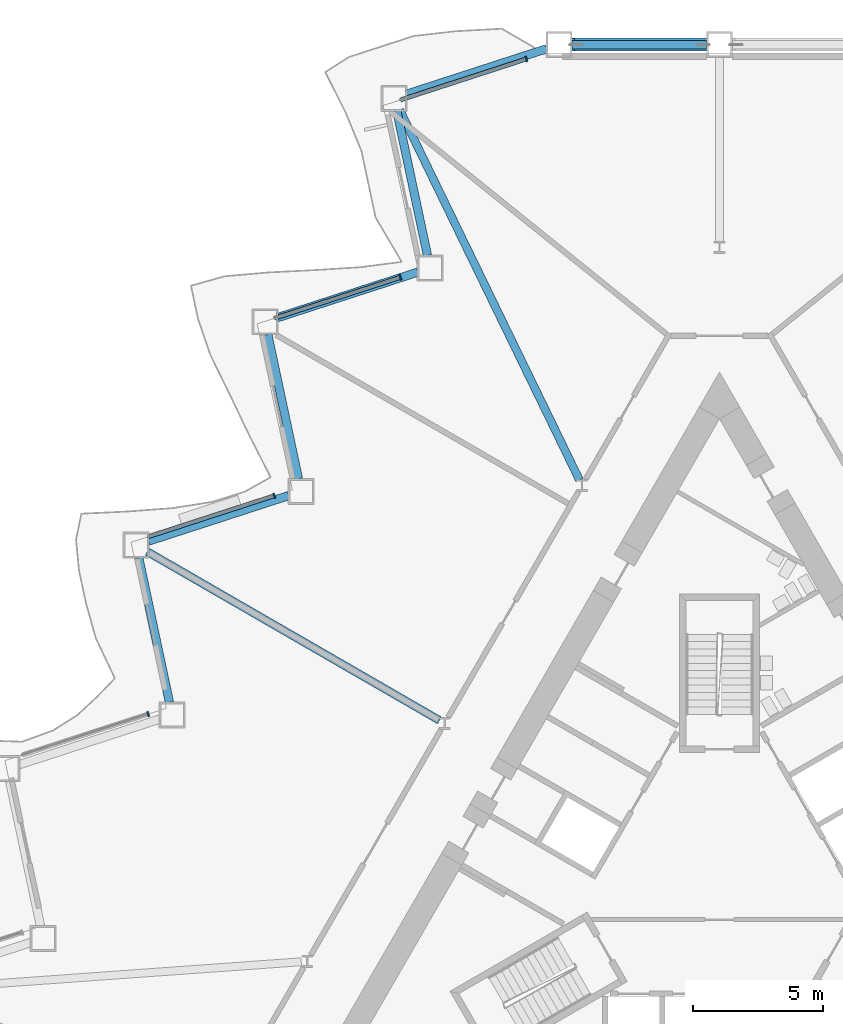
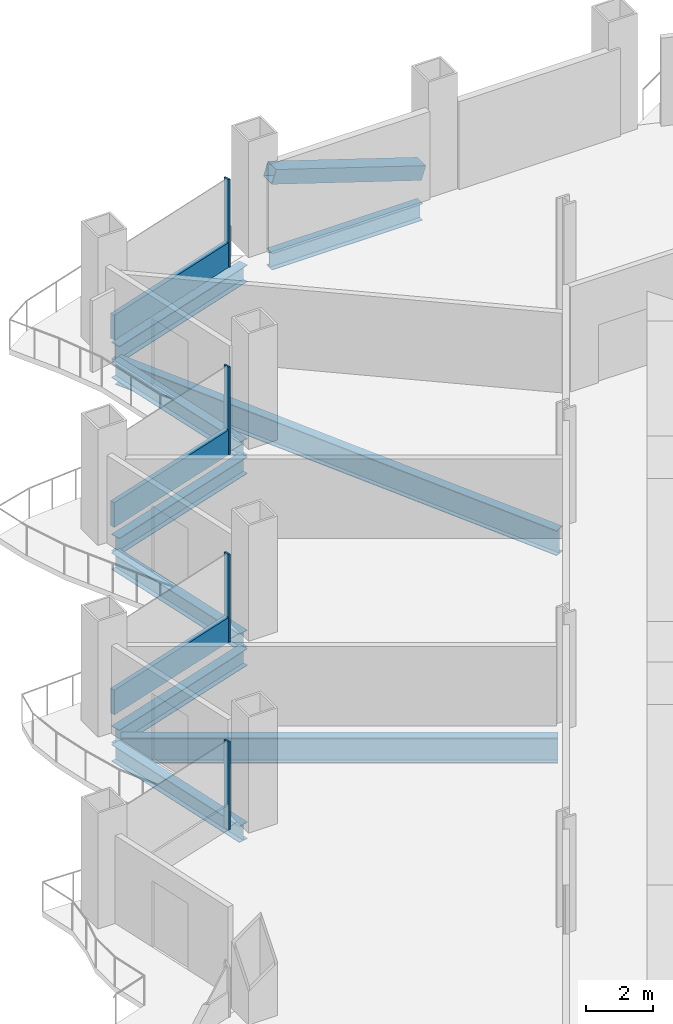
# One storey, part 6 of 21: 9 beams, 8 members, 4 elements without a shape of their own.
"""IFC4 building model written with IfcOpenShell, lengths in metres."""

from ifc_helpers import new_model, si_unit, direction, frame, origin, origin_2d, place, context, subcontext, project, spatial, rectangle, hollow_rectangle, i_section, extrude, material, layer, layer_set, material_profile, profile_set, type_object, element, aggregate, save


model = new_model("IFC4")

# Units and contexts
model_context = context("Model", 3, precision=1e-05, world=origin(), true_north=direction((0.0, 1.0)))
body_context = subcontext(model_context, "Body", "Model", "MODEL_VIEW")
ifc_project = project(units=[si_unit("LENGTHUNIT", "METRE"), si_unit("AREAUNIT", "SQUARE_METRE"), si_unit("VOLUMEUNIT", "CUBIC_METRE"), si_unit("PLANEANGLEUNIT", "RADIAN"), si_unit("MASSUNIT", "GRAM", prefix="KILO")], contexts=[model_context])

# Site, building, storey
site_placement = place(None, origin())
site = spatial("IfcSite", under=ifc_project, at=site_placement, CompositionType="ELEMENT")
building_placement = place(site_placement, origin())
building = spatial("IfcBuilding", under=site, at=building_placement, Name="Cormorant Prow Tower", CompositionType="ELEMENT")
storey_placement = place(building_placement, frame((0.0, 0.0, 51.0)))
storey = spatial("IfcBuildingStorey", under=building, at=storey_placement, Name="L10", CompositionType="ELEMENT", Elevation=51.0)

# Member
ifc_material_1 = material(Name="Structural steel ASTM A500 Gr C", Category="steel")
ifc_material_profile_1 = material_profile(ifc_material_1, hollow_rectangle(XDim=0.508056640625, YDim=0.508056640625, WallThickness=0.014892578125, at=origin_2d()), Name="HSS20x20x5/8")
ifc_profile_set_1 = profile_set([ifc_material_profile_1], Name="Structural steel ASTM A500 Gr C")
member_type_1 = type_object("IfcMemberType", Name="Chamfer brace HSS20x20x5/8", PredefinedType="BRACE", material=ifc_profile_set_1)
member_1_placement = place(storey_placement, frame((-0.518798828125, 32.233642578125, 0.767333984375), z_axis=(-0.951774314198, 0.0, 0.306799046335), x_axis=(0.0, -1.0, 0.0)))
element("IfcMember", 1, at=member_1_placement, inside=storey, type_object=member_type_1, Name="Chamfer brace BR1 at N01 L10", PredefinedType="BRACE", context=body_context, shape_type="SweptSolid", body=[
    extrude(hollow_rectangle(XDim=0.508056640625, YDim=0.508056640625, WallThickness=0.014892578125, at=origin_2d()), origin(), (0.0, 0.0, 1.0), 5.39208984375),
])

# Curtain wall, member
ifc_material_2 = material(Name="Aluminium 6063-T6", Category="aluminium")
ifc_layer = layer(ifc_material_2, 0.199951171875)
ifc_layer_set = layer_set([ifc_layer], Name="Aluminium 6063-T6")
curtain_wall_type = type_object("IfcCurtainWallType", Name="Office unitised curtain wall 200", PredefinedType="NOTDEFINED", material=ifc_layer_set)
curtain_wall_1_placement = place(storey_placement, origin())
curtain_wall_1 = element("IfcCurtainWall", 2, at=curtain_wall_1_placement, inside=storey, type_object=curtain_wall_type, Name="Office curtain wall WNW00", PredefinedType="NOTDEFINED")
ifc_material_3 = material(Name="Aluminium 6063-T6", Category="aluminium")
ifc_material_profile_2 = material_profile(ifc_material_3, rectangle(XDim=0.199951171875, YDim=0.06005859375, at=origin_2d()), Name="Office mullion 60x200")
ifc_profile_set_2 = profile_set([ifc_material_profile_2], Name="Aluminium 6063-T6")
member_type_2 = type_object("IfcMemberType", Name="Office mullion 60x200", PredefinedType="MULLION", material=ifc_profile_set_2)
member_2_placement = place(storey_placement, frame((-7.433837890625, 31.6796875, 0.0), z_axis=(0.0, 0.0, 1.0), x_axis=(0.309016937009, -0.951056534935, 0.0)))
member_2 = element("IfcMember", 3, at=member_2_placement, type_object=member_type_2, Name="Office mullion WNW00", PredefinedType="MULLION", context=body_context, shape_type="SweptSolid", body=[
    extrude(rectangle(XDim=0.199951171875, YDim=0.06005859375, at=origin_2d()), origin(), (0.0, 0.0, 1.0), 3.18896484375),
])

curtain_wall_2_placement = place(storey_placement, origin())
curtain_wall_2 = element("IfcCurtainWall", 4, at=curtain_wall_2_placement, inside=storey, type_object=curtain_wall_type, Name="Office curtain wall WNW02", PredefinedType="NOTDEFINED")
member_3_placement = place(storey_placement, frame((-12.286376953125, 23.274658203125, 0.0), z_axis=(0.0, 0.0, 1.0), x_axis=(0.309016937009, -0.951056534935, 0.0)))
member_3 = element("IfcMember", 5, at=member_3_placement, type_object=member_type_2, Name="Office mullion WNW02", PredefinedType="MULLION", context=body_context, shape_type="SweptSolid", body=[
    extrude(rectangle(XDim=0.199951171875, YDim=0.06005859375, at=origin_2d()), origin(), (0.0, 0.0, 1.0), 3.18896484375),
])

curtain_wall_3_placement = place(storey_placement, origin())
curtain_wall_3 = element("IfcCurtainWall", 6, at=curtain_wall_3_placement, inside=storey, type_object=curtain_wall_type, Name="Office curtain wall WNW04", PredefinedType="NOTDEFINED")
member_4_placement = place(storey_placement, frame((-17.13916015625, 14.86962890625, 0.0), z_axis=(0.0, 0.0, 1.0), x_axis=(0.309016892008, -0.951056549556, 0.0)))
member_4 = element("IfcMember", 7, at=member_4_placement, type_object=member_type_2, Name="Office mullion WNW04", PredefinedType="MULLION", context=body_context, shape_type="SweptSolid", body=[
    extrude(rectangle(XDim=0.199951171875, YDim=0.06005859375, at=origin_2d()), origin(), (0.0, 0.0, 1.0), 3.18896484375),
])

curtain_wall_4_placement = place(storey_placement, origin())
curtain_wall_4 = element("IfcCurtainWall", 8, at=curtain_wall_4_placement, inside=storey, type_object=curtain_wall_type, Name="Office curtain wall WNW06", PredefinedType="NOTDEFINED")
member_5_placement = place(storey_placement, frame((-21.99169921875, 6.464599609375, 0.0), z_axis=(0.0, 0.0, 1.0), x_axis=(0.309016937009, -0.951056534935, 0.0)))
member_5 = element("IfcMember", 9, at=member_5_placement, type_object=member_type_2, Name="Office mullion WNW06", PredefinedType="MULLION", context=body_context, shape_type="SweptSolid", body=[
    extrude(rectangle(XDim=0.199951171875, YDim=0.06005859375, at=origin_2d()), origin(), (0.0, 0.0, 1.0), 3.18896484375),
])
aggregate(curtain_wall_4, [member_5])

# Member
ifc_material_4 = material(Name="Terracotta", Category="masonry")
ifc_material_profile_3 = material_profile(ifc_material_4, rectangle(XDim=0.159912109375, YDim=0.89990234375, at=origin_2d()), Name="Office terracotta spandrel rail 160x900")
ifc_profile_set_3 = profile_set([ifc_material_profile_3], Name="Terracotta")
member_type_3 = type_object("IfcMemberType", Name="Office terracotta spandrel rail 160x900", PredefinedType="USERDEFINED", material=ifc_profile_set_3)
member_6_placement = place(storey_placement, frame((-7.46240234375, 31.67041015625, 0.449951171875), z_axis=(-0.951061701222, -0.309001036355, 0.0), x_axis=(0.309001036355, -0.951061701222, 0.0)))
member_6 = element("IfcMember", 10, at=member_6_placement, type_object=member_type_3, Name="Office spandrel rail WNW00", ObjectType="TRANSOM", PredefinedType="USERDEFINED", context=body_context, shape_type="SweptSolid", body=[
    extrude(rectangle(XDim=0.159912109375, YDim=0.89990234375, at=origin_2d()), origin(), (0.0, 0.0, 1.0), 5.063720703125),
])

aggregate(curtain_wall_1, [member_2, member_6])

member_7_placement = place(storey_placement, frame((-12.31494140625, 23.265380859375, 0.449951171875), z_axis=(-0.95106630442, -0.308986868, 0.0), x_axis=(0.308986868, -0.95106630442, 0.0)))
member_7 = element("IfcMember", 11, at=member_7_placement, type_object=member_type_3, Name="Office spandrel rail WNW02", ObjectType="TRANSOM", PredefinedType="USERDEFINED", context=body_context, shape_type="SweptSolid", body=[
    extrude(rectangle(XDim=0.159912109375, YDim=0.89990234375, at=origin_2d()), origin(), (0.0, 0.0, 1.0), 5.06396484375),
])

aggregate(curtain_wall_2, [member_3, member_7])

member_8_placement = place(storey_placement, frame((-17.167724609375, 14.8603515625, 0.449951171875), z_axis=(-0.951061701222, -0.309001036355, 0.0), x_axis=(0.309001036355, -0.951061701222, 0.0)))
member_8 = element("IfcMember", 12, at=member_8_placement, type_object=member_type_3, Name="Office spandrel rail WNW04", ObjectType="TRANSOM", PredefinedType="USERDEFINED", context=body_context, shape_type="SweptSolid", body=[
    extrude(rectangle(XDim=0.159912109375, YDim=0.89990234375, at=origin_2d()), origin(), (0.0, 0.0, 1.0), 5.063720703125),
])

aggregate(curtain_wall_3, [member_4, member_8])

# Beams
ifc_material_5 = material(Name="Structural steel ASTM A992 Gr 50", Category="steel")
ifc_material_profile_4 = material_profile(ifc_material_5, i_section(OverallWidth=0.3046875, OverallDepth=0.914794921875, WebThickness=0.0166015625, FlangeThickness=0.02587890625, at=origin_2d()), Name="W36x160")
ifc_profile_set_4 = profile_set([ifc_material_profile_4], Name="Structural steel ASTM A992 Gr 50")
beam_type_1 = type_object("IfcBeamType", Name="Radial floor beam W36x160", PredefinedType="BEAM", material=ifc_profile_set_4)
beam_1_placement = place(storey_placement, frame((-5.390625, 15.4775390625, -0.857421875), z_axis=(-0.436839436813, 0.899539496879, 0.0), x_axis=(-0.899539496879, -0.436839436813, 0.0)))
element("IfcBeam", 13, at=beam_1_placement, inside=storey, type_object=beam_type_1, Name="Radial floor beam FB1 2 L10", PredefinedType="BEAM", context=body_context, shape_type="SweptSolid", body=[
    extrude(i_section(OverallWidth=0.3046875, OverallDepth=0.914794921875, WebThickness=0.0166015625, FlangeThickness=0.02587890625, at=origin_2d()), origin(), (0.0, 0.0, 1.0), 15.83203125),
])
beam_2_placement = place(storey_placement, frame((-10.779541015625, 6.2236328125, -0.857421875), z_axis=(-0.866030278318, 0.499991556966, 0.0), x_axis=(-0.499991556966, -0.866030278318, 0.0)))
element("IfcBeam", 14, at=beam_2_placement, inside=storey, type_object=beam_type_1, Name="Radial floor beam FB1 3 L10", PredefinedType="BEAM", context=body_context, shape_type="SweptSolid", body=[
    extrude(i_section(OverallWidth=0.3046875, OverallDepth=0.914794921875, WebThickness=0.0166015625, FlangeThickness=0.02587890625, at=origin_2d()), origin(), (0.0, 0.0, 1.0), 12.984130859375),
])
ifc_material_6 = material(Name="Structural steel ASTM A992 Gr 50", Category="steel")
ifc_material_profile_5 = material_profile(ifc_material_6, i_section(OverallWidth=0.32373046875, OverallDepth=0.611083984375, WebThickness=0.0126953125, FlangeThickness=0.01904296875, at=origin_2d()), Name="W24x104")
ifc_profile_set_5 = profile_set([ifc_material_profile_5], Name="Structural steel ASTM A992 Gr 50")
beam_type_2 = type_object("IfcBeamType", Name="Spandrel beam W24x104", PredefinedType="SPANDREL", material=ifc_profile_set_5)
beam_3_placement = place(storey_placement, frame((-0.5, 32.233642578125, -0.70556640625), z_axis=(-1.0, 0.0, 0.0), x_axis=(0.0, -1.0, 0.0)))
element("IfcBeam", 15, at=beam_3_placement, inside=storey, type_object=beam_type_2, Name="Spandrel beam SB1 N01-WNW00 L10", PredefinedType="SPANDREL", context=body_context, shape_type="SweptSolid", body=[
    extrude(i_section(OverallWidth=0.32373046875, OverallDepth=0.611083984375, WebThickness=0.0126953125, FlangeThickness=0.01904296875, at=origin_2d()), origin(), (0.0, 0.0, 1.0), 5.169677734375),
])
beam_4_placement = place(storey_placement, frame((-6.645263671875, 32.0791015625, -0.70556640625), z_axis=(-0.951061849722, -0.309000579292, 0.0), x_axis=(0.309000579292, -0.951061849722, 0.0)))
element("IfcBeam", 16, at=beam_4_placement, inside=storey, type_object=beam_type_2, Name="Spandrel beam SB1 WNW00-WNW01 L10", PredefinedType="SPANDREL", context=body_context, shape_type="SweptSolid", body=[
    extrude(i_section(OverallWidth=0.32373046875, OverallDepth=0.611083984375, WebThickness=0.0126953125, FlangeThickness=0.01904296875, at=origin_2d()), origin(), (0.0, 0.0, 1.0), 5.682373046875),
])
beam_5_placement = place(storey_placement, frame((-12.421142578125, 29.6796875, -0.70556640625), z_axis=(0.207900376723, -0.97815000555, 0.0), x_axis=(0.97815000555, 0.207900376723, 0.0)))
element("IfcBeam", 17, at=beam_5_placement, inside=storey, type_object=beam_type_2, Name="Spandrel beam SB1 WNW01-WNW02 L10", PredefinedType="SPANDREL", context=body_context, shape_type="SweptSolid", body=[
    extrude(i_section(OverallWidth=0.32373046875, OverallDepth=0.611083984375, WebThickness=0.0126953125, FlangeThickness=0.01904296875, at=origin_2d()), origin(), (0.0, 0.0, 1.0), 5.6826171875),
])
beam_6_placement = place(storey_placement, frame((-11.611328125, 23.477783203125, -0.70556640625), z_axis=(-0.951049222751, -0.309039440696, 0.0), x_axis=(0.309039440696, -0.951049222751, 0.0)))
element("IfcBeam", 18, at=beam_6_placement, inside=storey, type_object=beam_type_2, Name="Spandrel beam SB1 WNW02-WNW03 L10", PredefinedType="SPANDREL", context=body_context, shape_type="SweptSolid", body=[
    extrude(i_section(OverallWidth=0.32373046875, OverallDepth=0.611083984375, WebThickness=0.0126953125, FlangeThickness=0.01904296875, at=origin_2d()), origin(), (0.0, 0.0, 1.0), 5.682373046875),
])
beam_7_placement = place(storey_placement, frame((-17.38720703125, 21.078125, -0.70556640625), z_axis=(0.207900376723, -0.97815000555, 0.0), x_axis=(0.97815000555, 0.207900376723, 0.0)))
element("IfcBeam", 19, at=beam_7_placement, inside=storey, type_object=beam_type_2, Name="Spandrel beam SB1 WNW03-WNW04 L10", PredefinedType="SPANDREL", context=body_context, shape_type="SweptSolid", body=[
    extrude(i_section(OverallWidth=0.32373046875, OverallDepth=0.611083984375, WebThickness=0.0126953125, FlangeThickness=0.01904296875, at=origin_2d()), origin(), (0.0, 0.0, 1.0), 5.6826171875),
])
beam_8_placement = place(storey_placement, frame((-16.577392578125, 14.876220703125, -0.70556640625), z_axis=(-0.951049222751, -0.309039440696, 0.0), x_axis=(0.309039440696, -0.951049222751, 0.0)))
element("IfcBeam", 20, at=beam_8_placement, inside=storey, type_object=beam_type_2, Name="Spandrel beam SB1 WNW04-WNW05 L10", PredefinedType="SPANDREL", context=body_context, shape_type="SweptSolid", body=[
    extrude(i_section(OverallWidth=0.32373046875, OverallDepth=0.611083984375, WebThickness=0.0126953125, FlangeThickness=0.01904296875, at=origin_2d()), origin(), (0.0, 0.0, 1.0), 5.682373046875),
])
beam_9_placement = place(storey_placement, frame((-22.353271484375, 12.4765625, -0.70556640625), z_axis=(0.207900376723, -0.97815000555, 0.0), x_axis=(0.97815000555, 0.207900376723, 0.0)))
element("IfcBeam", 21, at=beam_9_placement, inside=storey, type_object=beam_type_2, Name="Spandrel beam SB1 WNW05-WNW06 L10", PredefinedType="SPANDREL", context=body_context, shape_type="SweptSolid", body=[
    extrude(i_section(OverallWidth=0.32373046875, OverallDepth=0.611083984375, WebThickness=0.0126953125, FlangeThickness=0.01904296875, at=origin_2d()), origin(), (0.0, 0.0, 1.0), 5.6826171875),
])

save(model, "model.ifc")
